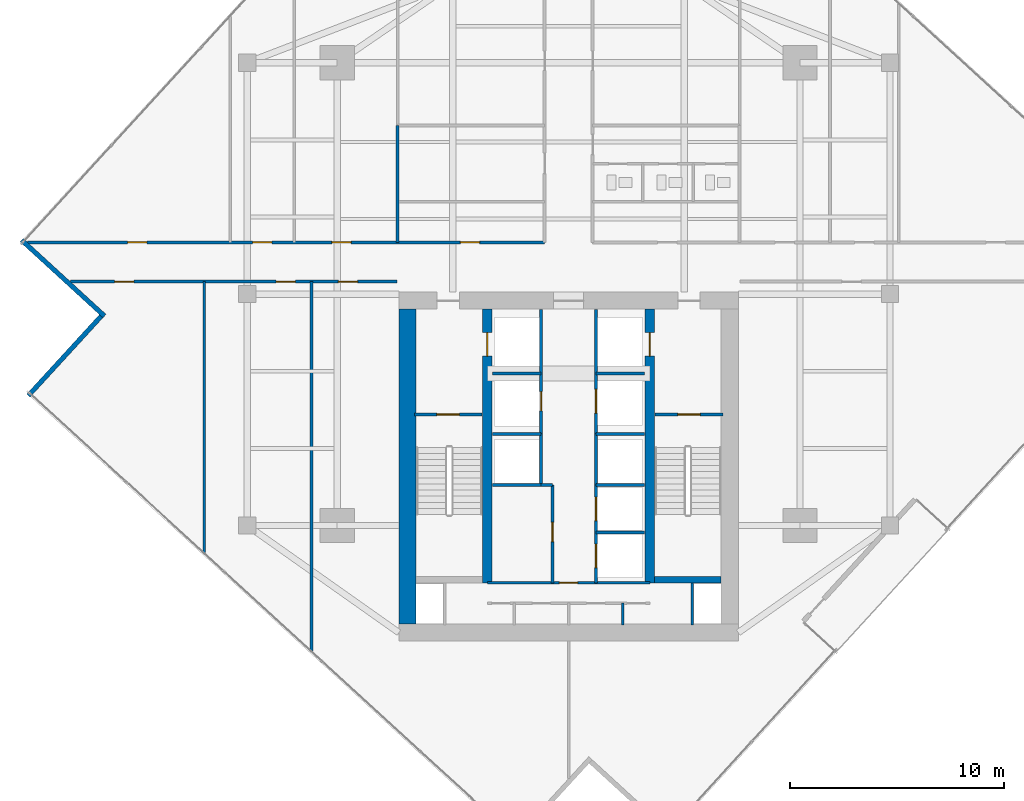
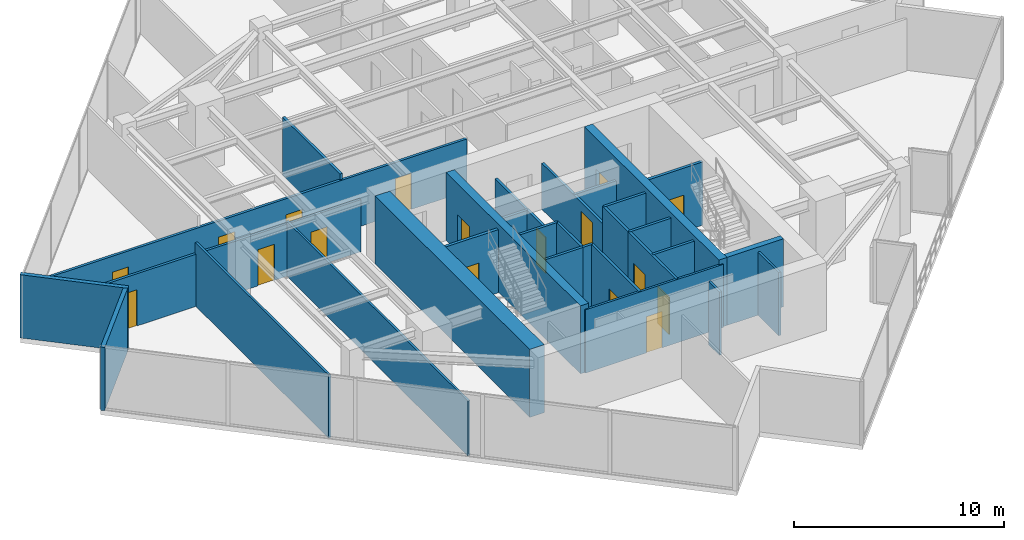
# One storey, part 22 of 26: 30 walls, 17 doors, 17 openings.
"""IFC4 building model written with IfcOpenShell, lengths in metres."""

from ifc_helpers import new_model, si_unit, direction, frame, frame_2d, origin, place, context, subcontext, project, spatial, rectangle, extrude, material, layer, layer_set, type_object, element, fill, save


model = new_model("IFC4")

# Units and contexts
model_context = context("Model", 3, precision=1e-05, world=origin(), true_north=direction((0.0, 1.0)))
body_context = subcontext(model_context, "Body", "Model", "MODEL_VIEW")
ifc_project = project(units=[si_unit("LENGTHUNIT", "METRE"), si_unit("AREAUNIT", "SQUARE_METRE"), si_unit("VOLUMEUNIT", "CUBIC_METRE"), si_unit("PLANEANGLEUNIT", "RADIAN"), si_unit("MASSUNIT", "GRAM", prefix="KILO")], contexts=[model_context])

# Site, building, storey
site_placement = place(None, origin())
site = spatial("IfcSite", under=ifc_project, at=site_placement, CompositionType="ELEMENT")
building_placement = place(site_placement, origin())
building = spatial("IfcBuilding", under=site, at=building_placement, Name="Krantzveldt Concourse Tower", CompositionType="ELEMENT")
storey_placement = place(building_placement, frame((0.0, 0.0, 223.10009765625)))
storey = spatial("IfcBuildingStorey", under=building, at=storey_placement, Name="L54", CompositionType="ELEMENT", Elevation=223.10009765625)

# Walls
ifc_material_1 = material(Name="Anodised aluminium 6063-T6", Category="aluminium")
ifc_layer_1 = layer(ifc_material_1, 0.219970703125, Name="Anodised aluminium 6063-T6", Category="aluminium")
ifc_layer_set_1 = layer_set([ifc_layer_1], Name="Anodised aluminium 6063-T6 (WL-EXT-NOTCH220)")
wall_type_1 = type_object("IfcWallType", Name="WL-EXT-NOTCH220", PredefinedType="ELEMENTEDWALL", material=ifc_layer_set_1)
wall_1_placement = place(storey_placement, frame((10.469970703125, 29.2197265625, 0.0), z_axis=(0.0, 0.0, 1.0), x_axis=(0.737293236511, -0.675572855727, 0.0)))
element("IfcWall", 1, at=wall_1_placement, inside=storey, type_object=wall_type_1, Name="EW-L54-NCH02", PredefinedType="ELEMENTEDWALL", context=body_context, shape_type="SweptSolid", body=[
    extrude(rectangle(XDim=5.2451171875, YDim=0.219970703125, at=frame_2d((2.62255859375, 0.0))), origin(), (0.0, 0.0, 1.0), 3.669921875),
])
wall_2_placement = place(storey_placement, frame((14.181640625, 25.66943359375, 0.0), z_axis=(0.0, 0.0, 1.0), x_axis=(-0.675581609375, -0.737285215553, 0.0)))
element("IfcWall", 2, at=wall_2_placement, inside=storey, type_object=wall_type_1, Name="EW-L54-NCH03", PredefinedType="ELEMENTEDWALL", context=body_context, shape_type="SweptSolid", body=[
    extrude(rectangle(XDim=5.02490234375, YDim=0.219970703125, at=frame_2d((2.512451171875, 0.0))), origin(), (0.0, 0.0, 1.0), 3.669921875),
])

# Wall, opening, door
ifc_material_2 = material(Name="Fire-rated gypsum plasterboard on steel stud", Category="steel")
ifc_layer_2 = layer(ifc_material_2, 0.1201171875, Name="Fire-rated gypsum plasterboard on steel stud", Category="steel")
ifc_layer_set_2 = layer_set([ifc_layer_2], Name="Fire-rated gypsum plasterboard on steel stud (WL-PART-120)")
wall_type_2 = type_object("IfcWallType", Name="WL-PART-120", PredefinedType="PARTITIONING", material=ifc_layer_set_2)
wall_3_placement = place(storey_placement, frame((32.2099609375, 13.219970703125, 0.0), z_axis=(0.0, 0.0, 1.0), x_axis=(1.0, 0.0, 0.0)))
wall_3 = element("IfcWall", 3, at=wall_3_placement, inside=storey, type_object=wall_type_2, Name="WP-L54-CS2H", PredefinedType="PARTITIONING", context=body_context, shape_type="SweptSolid", body=[
    extrude(rectangle(XDim=7.580078125, YDim=0.1201171875, at=frame_2d((3.7900390625, 0.0))), origin(), (0.0, 0.0, 1.0), 3.669921875),
])
opening_1_placement = place(wall_3_placement, frame((3.364990234375, 0.0, 0.0)))
opening_1 = element("IfcOpeningElement", 4, at=opening_1_placement, cuts=wall_3, Name="Opening D-IN085", PredefinedType="OPENING", context=body_context, shape_type="SweptSolid", body=[
    extrude(rectangle(XDim=0.85009765625, YDim=2.10009765625, at=frame_2d((0.425048828125, 1.050048828125))), frame((0.0, 0.070068359375, 0.0), z_axis=(0.0, -1.0, 0.0), x_axis=(1.0, 0.0, 0.0)), (0.0, 0.0, 1.0), 0.14013671875),
])
ifc_material_3 = material(Name="Hardwood timber", Category="wood")
door_type_1 = type_object("IfcDoorType", Name="DR-INT-850", OperationType="SINGLE_SWING_LEFT", PredefinedType="DOOR", material=ifc_material_3)
door_1_placement = place(opening_1_placement, origin())
door_1 = element("IfcDoor", 5, at=door_1_placement, inside=storey, type_object=door_type_1, Name="DR-L54-LLBS", OperationType="SINGLE_SWING_RIGHT", OverallHeight=2.10009765625, OverallWidth=0.85009765625, PredefinedType="DOOR", context=body_context, shape_type="SweptSolid", body=[
    extrude(rectangle(XDim=0.85009765625, YDim=2.10009765625, at=frame_2d((0.425048828125, 1.050048828125))), frame((0.0, 0.02490234375, 0.0), z_axis=(0.0, -1.0, 0.0), x_axis=(1.0, 0.0, 0.0)), (0.0, 0.0, 1.0), 0.050048828125),
])
fill(opening_1, door_1)

# Walls
wall_4_placement = place(storey_placement, frame((38.530029296875, 11.25, 0.0), z_axis=(0.0, 0.0, 1.0), x_axis=(0.0, 1.0, 0.0)))
element("IfcWall", 6, at=wall_4_placement, inside=storey, type_object=wall_type_2, Name="WP-L54-CSD-V3", PredefinedType="PARTITIONING", context=body_context, shape_type="SweptSolid", body=[
    extrude(rectangle(XDim=1.030029296875, YDim=0.1201171875, at=frame_2d((0.51513671875, 0.0))), origin(), (0.0, 0.0, 1.0), 3.669921875),
])
wall_5_placement = place(storey_placement, frame((19.0, 14.5947265625, 0.0), z_axis=(0.0, 0.0, 1.0), x_axis=(0.0, 1.0, 0.0)))
element("IfcWall", 7, at=wall_5_placement, inside=storey, type_object=wall_type_2, Name="WP-L54-SWX1", PredefinedType="PARTITIONING", context=body_context, shape_type="SweptSolid", body=[
    extrude(rectangle(XDim=12.685302734375, YDim=0.1201171875, at=frame_2d((6.3427734375, 0.0))), origin(), (0.0, 0.0, 1.0), 3.669921875),
])
wall_6_placement = place(storey_placement, frame((24.0, 10.012939453125, 0.0), z_axis=(0.0, 0.0, 1.0), x_axis=(0.0, 1.0, 0.0)))
element("IfcWall", 8, at=wall_6_placement, inside=storey, type_object=wall_type_2, Name="WP-L54-SWX2", PredefinedType="PARTITIONING", context=body_context, shape_type="SweptSolid", body=[
    extrude(rectangle(XDim=17.26708984375, YDim=0.1201171875, at=frame_2d((8.633544921875, 0.0))), origin(), (0.0, 0.0, 1.0), 3.179931640625),
])

# Wall, openings, doors
ifc_layer_3 = layer(ifc_material_2, 0.139892578125, Name="Fire-rated gypsum plasterboard on steel stud", Category="steel")
ifc_layer_set_3 = layer_set([ifc_layer_3], Name="Fire-rated gypsum plasterboard on steel stud (WL-PART-140)")
wall_type_3 = type_object("IfcWallType", Name="WL-PART-140", PredefinedType="PARTITIONING", material=ifc_layer_set_3)
wall_7_placement = place(storey_placement, frame((10.749267578125, 29.1201171875, 0.0), z_axis=(0.0, 0.0, 1.0), x_axis=(1.0, 0.0, 0.0)))
wall_7 = element("IfcWall", 9, at=wall_7_placement, inside=storey, type_object=wall_type_3, Name="WP-L54-EWNL", PredefinedType="PARTITIONING", context=body_context, shape_type="SweptSolid", body=[
    extrude(rectangle(XDim=24.130615234375, YDim=0.139892578125, at=frame_2d((12.0654296875, 0.0))), origin(), (0.0, 0.0, 1.0), 3.02978515625),
])
opening_2_placement = place(wall_7_placement, frame((20.200927734375, 0.0, 0.0)))
opening_2 = element("IfcOpeningElement", 10, at=opening_2_placement, cuts=wall_7, Name="Opening D-IN090", PredefinedType="OPENING", context=body_context, shape_type="SweptSolid", body=[
    extrude(rectangle(XDim=0.89990234375, YDim=2.10009765625, at=frame_2d((0.449951171875, 1.050048828125))), frame((0.0, 0.080078125, 0.0), z_axis=(0.0, -1.0, 0.0), x_axis=(1.0, 0.0, 0.0)), (0.0, 0.0, 1.0), 0.159912109375),
])
opening_3_placement = place(wall_7_placement, frame((4.663818359375, 0.0, 0.0)))
opening_3 = element("IfcOpeningElement", 11, at=opening_3_placement, cuts=wall_7, Name="Opening D-IN090", PredefinedType="OPENING", context=body_context, shape_type="SweptSolid", body=[
    extrude(rectangle(XDim=0.89990234375, YDim=2.10009765625, at=frame_2d((0.449951171875, 1.050048828125))), frame((0.0, 0.080078125, 0.0), z_axis=(0.0, -1.0, 0.0), x_axis=(1.0, 0.0, 0.0)), (0.0, 0.0, 1.0), 0.159912109375),
])
opening_4_placement = place(wall_7_placement, frame((10.500732421875, 0.0, 0.0)))
opening_4 = element("IfcOpeningElement", 12, at=opening_4_placement, cuts=wall_7, Name="Opening D-IN090", PredefinedType="OPENING", context=body_context, shape_type="SweptSolid", body=[
    extrude(rectangle(XDim=0.89990234375, YDim=2.10009765625, at=frame_2d((0.449951171875, 1.050048828125))), frame((0.0, 0.080078125, 0.0), z_axis=(0.0, -1.0, 0.0), x_axis=(1.0, 0.0, 0.0)), (0.0, 0.0, 1.0), 0.159912109375),
])
opening_5_placement = place(wall_7_placement, frame((14.200927734375, 0.0, 0.0)))
opening_5 = element("IfcOpeningElement", 13, at=opening_5_placement, cuts=wall_7, Name="Opening D-IN090", PredefinedType="OPENING", context=body_context, shape_type="SweptSolid", body=[
    extrude(rectangle(XDim=0.89990234375, YDim=2.10009765625, at=frame_2d((0.449951171875, 1.050048828125))), frame((0.0, 0.080078125, 0.0), z_axis=(0.0, -1.0, 0.0), x_axis=(1.0, 0.0, 0.0)), (0.0, 0.0, 1.0), 0.159912109375),
])
door_type_2 = type_object("IfcDoorType", Name="DR-INT-900", OperationType="SINGLE_SWING_LEFT", PredefinedType="DOOR", material=ifc_material_3)
door_2_placement = place(opening_2_placement, origin())
door_2 = element("IfcDoor", 14, at=door_2_placement, inside=storey, type_object=door_type_2, Name="DR-L54-ALCL", OperationType="SINGLE_SWING_LEFT", OverallHeight=2.10009765625, OverallWidth=0.89990234375, PredefinedType="DOOR", context=body_context, shape_type="SweptSolid", body=[
    extrude(rectangle(XDim=0.89990234375, YDim=2.10009765625, at=frame_2d((0.449951171875, 1.050048828125))), frame((0.0, 0.02490234375, 0.0), z_axis=(0.0, -1.0, 0.0), x_axis=(1.0, 0.0, 0.0)), (0.0, 0.0, 1.0), 0.050048828125),
])
fill(opening_2, door_2)
door_3_placement = place(opening_3_placement, origin())
door_3 = element("IfcDoor", 15, at=door_3_placement, inside=storey, type_object=door_type_2, Name="DR-L54-NWX1", OperationType="SINGLE_SWING_LEFT", OverallHeight=2.10009765625, OverallWidth=0.89990234375, PredefinedType="DOOR", context=body_context, shape_type="SweptSolid", body=[
    extrude(rectangle(XDim=0.89990234375, YDim=2.10009765625, at=frame_2d((0.449951171875, 1.050048828125))), frame((0.0, 0.02490234375, 0.0), z_axis=(0.0, -1.0, 0.0), x_axis=(1.0, 0.0, 0.0)), (0.0, 0.0, 1.0), 0.050048828125),
])
fill(opening_3, door_3)
door_4_placement = place(opening_4_placement, origin())
door_4 = element("IfcDoor", 16, at=door_4_placement, inside=storey, type_object=door_type_2, Name="DR-L54-NWX2", OperationType="SINGLE_SWING_LEFT", OverallHeight=2.10009765625, OverallWidth=0.89990234375, PredefinedType="DOOR", context=body_context, shape_type="SweptSolid", body=[
    extrude(rectangle(XDim=0.89990234375, YDim=2.10009765625, at=frame_2d((0.449951171875, 1.050048828125))), frame((0.0, 0.02490234375, 0.0), z_axis=(0.0, -1.0, 0.0), x_axis=(1.0, 0.0, 0.0)), (0.0, 0.0, 1.0), 0.050048828125),
])
fill(opening_4, door_4)
door_5_placement = place(opening_5_placement, origin())
door_5 = element("IfcDoor", 17, at=door_5_placement, inside=storey, type_object=door_type_2, Name="DR-L54-NWX3", OperationType="SINGLE_SWING_LEFT", OverallHeight=2.10009765625, OverallWidth=0.89990234375, PredefinedType="DOOR", context=body_context, shape_type="SweptSolid", body=[
    extrude(rectangle(XDim=0.89990234375, YDim=2.10009765625, at=frame_2d((0.449951171875, 1.050048828125))), frame((0.0, 0.02490234375, 0.0), z_axis=(0.0, -1.0, 0.0), x_axis=(1.0, 0.0, 0.0)), (0.0, 0.0, 1.0), 0.050048828125),
])
fill(opening_5, door_5)

wall_8_placement = place(storey_placement, frame((12.757080078125, 27.280029296875, 0.0), z_axis=(0.0, 0.0, 1.0), x_axis=(1.0, 0.0, 0.0)))
wall_8 = element("IfcWall", 18, at=wall_8_placement, inside=storey, type_object=wall_type_3, Name="WP-L54-EWSL", PredefinedType="PARTITIONING", context=body_context, shape_type="SweptSolid", body=[
    extrude(rectangle(XDim=15.242919921875, YDim=0.139892578125, at=frame_2d((7.62158203125, 0.0))), origin(), (0.0, 0.0, 1.0), 3.02978515625),
])
opening_6_placement = place(wall_8_placement, frame((2.055908203125, 0.0, 0.0)))
opening_6 = element("IfcOpeningElement", 19, at=opening_6_placement, cuts=wall_8, Name="Opening D-IN090", PredefinedType="OPENING", context=body_context, shape_type="SweptSolid", body=[
    extrude(rectangle(XDim=0.89990234375, YDim=2.10009765625, at=frame_2d((0.449951171875, 1.050048828125))), frame((0.0, 0.080078125, 0.0), z_axis=(0.0, -1.0, 0.0), x_axis=(1.0, 0.0, 0.0)), (0.0, 0.0, 1.0), 0.159912109375),
])
opening_7_placement = place(wall_8_placement, frame((9.5927734375, 0.0, 0.0)))
opening_7 = element("IfcOpeningElement", 20, at=opening_7_placement, cuts=wall_8, Name="Opening D-IN090", PredefinedType="OPENING", context=body_context, shape_type="SweptSolid", body=[
    extrude(rectangle(XDim=0.89990234375, YDim=2.10009765625, at=frame_2d((0.449951171875, 1.050048828125))), frame((0.0, 0.080078125, 0.0), z_axis=(0.0, -1.0, 0.0), x_axis=(1.0, 0.0, 0.0)), (0.0, 0.0, 1.0), 0.159912109375),
])
opening_8_placement = place(wall_8_placement, frame((12.492919921875, 0.0, 0.0)))
opening_8 = element("IfcOpeningElement", 21, at=opening_8_placement, cuts=wall_8, Name="Opening D-IN090", PredefinedType="OPENING", context=body_context, shape_type="SweptSolid", body=[
    extrude(rectangle(XDim=0.89990234375, YDim=2.10009765625, at=frame_2d((0.449951171875, 1.050048828125))), frame((0.0, 0.080078125, 0.0), z_axis=(0.0, -1.0, 0.0), x_axis=(1.0, 0.0, 0.0)), (0.0, 0.0, 1.0), 0.159912109375),
])
door_6_placement = place(opening_6_placement, origin())
door_6 = element("IfcDoor", 22, at=door_6_placement, inside=storey, type_object=door_type_2, Name="DR-L54-SWX1", OperationType="SINGLE_SWING_LEFT", OverallHeight=2.10009765625, OverallWidth=0.89990234375, PredefinedType="DOOR", context=body_context, shape_type="SweptSolid", body=[
    extrude(rectangle(XDim=0.89990234375, YDim=2.10009765625, at=frame_2d((0.449951171875, 1.050048828125))), frame((0.0, 0.02490234375, 0.0), z_axis=(0.0, -1.0, 0.0), x_axis=(1.0, 0.0, 0.0)), (0.0, 0.0, 1.0), 0.050048828125),
])
fill(opening_6, door_6)
door_7_placement = place(opening_7_placement, origin())
door_7 = element("IfcDoor", 23, at=door_7_placement, inside=storey, type_object=door_type_2, Name="DR-L54-SWX2", OperationType="SINGLE_SWING_LEFT", OverallHeight=2.10009765625, OverallWidth=0.89990234375, PredefinedType="DOOR", context=body_context, shape_type="SweptSolid", body=[
    extrude(rectangle(XDim=0.89990234375, YDim=2.10009765625, at=frame_2d((0.449951171875, 1.050048828125))), frame((0.0, 0.02490234375, 0.0), z_axis=(0.0, -1.0, 0.0), x_axis=(1.0, 0.0, 0.0)), (0.0, 0.0, 1.0), 0.050048828125),
])
fill(opening_7, door_7)
door_8_placement = place(opening_8_placement, origin())
door_8 = element("IfcDoor", 24, at=door_8_placement, inside=storey, type_object=door_type_2, Name="DR-L54-SWX3", OperationType="SINGLE_SWING_LEFT", OverallHeight=2.10009765625, OverallWidth=0.89990234375, PredefinedType="DOOR", context=body_context, shape_type="SweptSolid", body=[
    extrude(rectangle(XDim=0.89990234375, YDim=2.10009765625, at=frame_2d((0.449951171875, 1.050048828125))), frame((0.0, 0.02490234375, 0.0), z_axis=(0.0, -1.0, 0.0), x_axis=(1.0, 0.0, 0.0)), (0.0, 0.0, 1.0), 0.050048828125),
])
fill(opening_8, door_8)

# Wall
wall_9_placement = place(storey_placement, frame((28.02001953125, 29.1201171875, 0.0), z_axis=(0.0, 0.0, 1.0), x_axis=(0.0, 1.0, 0.0)))
element("IfcWall", 25, at=wall_9_placement, inside=storey, type_object=wall_type_3, Name="WP-L54-ISWL", PredefinedType="PARTITIONING", context=body_context, shape_type="SweptSolid", body=[
    extrude(rectangle(XDim=5.4599609375, YDim=0.139892578125, at=frame_2d((2.72998046875, 0.0))), origin(), (0.0, 0.0, 1.0), 3.369873046875),
])

# Wall, opening, door
ifc_layer_4 = layer(ifc_material_2, 0.139892578125, Name="Fire-rated gypsum plasterboard on steel stud", Category="steel")
ifc_layer_set_4 = layer_set([ifc_layer_4], Name="Fire-rated gypsum plasterboard on steel stud (WL-PART-FR140)")
wall_type_4 = type_object("IfcWallType", Name="WL-PART-FR140", PredefinedType="PARTITIONING", material=ifc_layer_set_4)
wall_10_placement = place(storey_placement, frame((34.719970703125, 20.199951171875, 0.0), z_axis=(0.0, 0.0, 1.0), x_axis=(0.0, 1.0, 0.0)))
wall_10 = element("IfcWall", 26, at=wall_10_placement, inside=storey, type_object=wall_type_4, Name="WP-L54-SHNW", PredefinedType="PARTITIONING", context=body_context, shape_type="SweptSolid", body=[
    extrude(rectangle(XDim=5.780029296875, YDim=0.139892578125, at=frame_2d((2.89013671875, 0.0))), origin(), (0.0, 0.0, 1.0), 2.669921875),
])
opening_9_placement = place(wall_10_placement, frame((1.050048828125, 0.0, 0.0)))
opening_9 = element("IfcOpeningElement", 27, at=opening_9_placement, cuts=wall_10, Name="Opening D-FD090", PredefinedType="OPENING", context=body_context, shape_type="SweptSolid", body=[
    extrude(rectangle(XDim=0.89990234375, YDim=2.10009765625, at=frame_2d((0.449951171875, 1.050048828125))), frame((0.0, 0.080078125, 0.0), z_axis=(0.0, -1.0, 0.0), x_axis=(1.0, 0.0, 0.0)), (0.0, 0.0, 1.0), 0.159912109375),
])
door_type_3 = type_object("IfcDoorType", Name="DR-FD60-900", OperationType="SINGLE_SWING_LEFT", PredefinedType="DOOR", material=ifc_material_3)
door_9_placement = place(opening_9_placement, origin())
door_9 = element("IfcDoor", 28, at=door_9_placement, inside=storey, type_object=door_type_3, Name="Electrical Riser Access Door L54", OperationType="SINGLE_SWING_LEFT", OverallHeight=2.10009765625, OverallWidth=0.89990234375, PredefinedType="DOOR", context=body_context, shape_type="SweptSolid", body=[
    extrude(rectangle(XDim=0.89990234375, YDim=2.10009765625, at=frame_2d((0.449951171875, 1.050048828125))), frame((0.0, 0.02490234375, 0.0), z_axis=(0.0, -1.0, 0.0), x_axis=(1.0, 0.0, 0.0)), (0.0, 0.0, 1.0), 0.050048828125),
])
fill(opening_9, door_9)

wall_11_placement = place(storey_placement, frame((37.280029296875, 20.199951171875, 0.0), z_axis=(0.0, 0.0, 1.0), x_axis=(0.0, 1.0, 0.0)))
wall_11 = element("IfcWall", 29, at=wall_11_placement, inside=storey, type_object=wall_type_4, Name="WP-L54-SHNE", PredefinedType="PARTITIONING", context=body_context, shape_type="SweptSolid", body=[
    extrude(rectangle(XDim=5.780029296875, YDim=0.139892578125, at=frame_2d((2.89013671875, 0.0))), origin(), (0.0, 0.0, 1.0), 2.669921875),
])
opening_10_placement = place(wall_11_placement, frame((0.949951171875, 0.0, 0.0)))
opening_10 = element("IfcOpeningElement", 30, at=opening_10_placement, cuts=wall_11, Name="Opening LD", PredefinedType="OPENING", context=body_context, shape_type="SweptSolid", body=[
    extrude(rectangle(XDim=1.10009765625, YDim=2.14990234375, at=frame_2d((0.550048828125, 1.074951171875))), frame((0.0, 0.080078125, 0.0), z_axis=(0.0, -1.0, 0.0), x_axis=(1.0, 0.0, 0.0)), (0.0, 0.0, 1.0), 0.159912109375),
])
ifc_material_4 = material(Name="Stainless steel 316L", Category="steel")
door_type_4 = type_object("IfcDoorType", Name="DR-SLIDE-LD1100", OperationType="DOUBLE_DOOR_SLIDING", PredefinedType="DOOR", material=ifc_material_4)
door_10_placement = place(opening_10_placement, origin())
door_10 = element("IfcDoor", 31, at=door_10_placement, inside=storey, type_object=door_type_4, Name="LD-L54-GL1", OperationType="DOUBLE_DOOR_SLIDING", OverallHeight=2.14990234375, OverallWidth=1.10009765625, PredefinedType="DOOR", context=body_context, shape_type="SweptSolid", body=[
    extrude(rectangle(XDim=1.10009765625, YDim=2.14990234375, at=frame_2d((0.550048828125, 1.074951171875))), frame((0.0, 0.02490234375, 0.0), z_axis=(0.0, -1.0, 0.0), x_axis=(1.0, 0.0, 0.0)), (0.0, 0.0, 1.0), 0.050048828125),
])
fill(opening_10, door_10)

# Walls
for number, where, z_axis, x_axis, name in (
    (32, (32.449951171875, 23.0, 0.0), (0.0, 0.0, 1.0), (1.0, 0.0, 0.0), "WP-L54-RISH"),
    (33, (37.280029296875, 23.0, 0.0), (0.0, 0.0, 1.0), (1.0, 0.0, 0.0), "WP-L54-GLH"),
):
    element("IfcWall", number, at=place(storey_placement, frame(where, z_axis=z_axis, x_axis=x_axis)), inside=storey, type_object=wall_type_4, Name=name, PredefinedType="PARTITIONING", context=body_context, shape_type="SweptSolid", body=[
        extrude(rectangle(XDim=2.27001953125, YDim=0.139892578125, at=frame_2d((1.135009765625, 0.0))), origin(), (0.0, 0.0, 1.0), 2.669921875),
    ])
for number, where, z_axis, x_axis, name in (
    (34, (34.719970703125, 17.780029296875, 0.0), (0.0, 0.0, 1.0), (0.0, 1.0, 0.0), "WP-L54-SHNW2"),
    (35, (37.280029296875, 17.780029296875, 0.0), (0.0, 0.0, 1.0), (0.0, 1.0, 0.0), "WP-L54-SHNE2"),
):
    element("IfcWall", number, at=place(storey_placement, frame(where, z_axis=z_axis, x_axis=x_axis)), inside=storey, type_object=wall_type_4, Name=name, PredefinedType="PARTITIONING", context=body_context, shape_type="SweptSolid", body=[
        extrude(rectangle(XDim=2.419921875, YDim=0.139892578125, at=frame_2d((1.2099609375, 0.0))), origin(), (0.0, 0.0, 1.0), 3.669921875),
    ])
for number, where, z_axis, x_axis, name in (
    (36, (32.449951171875, 17.780029296875, 0.0), (0.0, 0.0, 1.0), (1.0, 0.0, 0.0), "WP-L54-DIVW2"),
    (37, (32.449951171875, 20.179931640625, 0.0), (0.0, 0.0, 1.0), (1.0, 0.0, 0.0), "WP-L54-DIVW3"),
    (38, (37.280029296875, 17.780029296875, 0.0), (0.0, 0.0, 1.0), (1.0, 0.0, 0.0), "WP-L54-DIVE2"),
    (39, (37.280029296875, 20.179931640625, 0.0), (0.0, 0.0, 1.0), (1.0, 0.0, 0.0), "WP-L54-DIVE3"),
):
    element("IfcWall", number, at=place(storey_placement, frame(where, z_axis=z_axis, x_axis=x_axis)), inside=storey, type_object=wall_type_4, Name=name, PredefinedType="PARTITIONING", context=body_context, shape_type="SweptSolid", body=[
        extrude(rectangle(XDim=2.27001953125, YDim=0.139892578125, at=frame_2d((1.135009765625, 0.0))), origin(), (0.0, 0.0, 1.0), 3.669921875),
    ])

# Wall, opening, door
wall_12_placement = place(storey_placement, frame((35.25, 13.219970703125, 0.0), z_axis=(0.0, 0.0, 1.0), x_axis=(0.0, 1.0, 0.0)))
wall_12 = element("IfcWall", 40, at=wall_12_placement, inside=storey, type_object=wall_type_4, Name="WP-L54-RECW", PredefinedType="PARTITIONING", context=body_context, shape_type="SweptSolid", body=[
    extrude(rectangle(XDim=4.56005859375, YDim=0.139892578125, at=frame_2d((2.280029296875, 0.0))), origin(), (0.0, 0.0, 1.0), 3.669921875),
])
opening_11_placement = place(wall_12_placement, frame((1.929931640625, 0.0, 0.0)))
opening_11 = element("IfcOpeningElement", 41, at=opening_11_placement, cuts=wall_12, Name="Opening D-FD090", PredefinedType="OPENING", context=body_context, shape_type="SweptSolid", body=[
    extrude(rectangle(XDim=0.89990234375, YDim=2.10009765625, at=frame_2d((0.449951171875, 1.050048828125))), frame((0.0, 0.080078125, 0.0), z_axis=(0.0, -1.0, 0.0), x_axis=(1.0, 0.0, 0.0)), (0.0, 0.0, 1.0), 0.159912109375),
])
door_11_placement = place(opening_11_placement, origin())
door_11 = element("IfcDoor", 42, at=door_11_placement, inside=storey, type_object=door_type_3, Name="DR-L54-RECW", OperationType="SINGLE_SWING_LEFT", OverallHeight=2.10009765625, OverallWidth=0.89990234375, PredefinedType="DOOR", context=body_context, shape_type="SweptSolid", body=[
    extrude(rectangle(XDim=0.89990234375, YDim=2.10009765625, at=frame_2d((0.449951171875, 1.050048828125))), frame((0.0, 0.02490234375, 0.0), z_axis=(0.0, -1.0, 0.0), x_axis=(1.0, 0.0, 0.0)), (0.0, 0.0, 1.0), 0.050048828125),
])
fill(opening_11, door_11)

# Wall
wall_13_placement = place(storey_placement, frame((34.719970703125, 17.780029296875, 0.0), z_axis=(0.0, 0.0, 1.0), x_axis=(1.0, 0.0, 0.0)))
element("IfcWall", 43, at=wall_13_placement, inside=storey, type_object=wall_type_4, Name="WP-L54-RECWN", PredefinedType="PARTITIONING", context=body_context, shape_type="SweptSolid", body=[
    extrude(rectangle(XDim=0.530029296875, YDim=0.139892578125, at=frame_2d((0.26513671875, 0.0))), origin(), (0.0, 0.0, 1.0), 3.669921875),
])

# Wall, openings, doors
wall_14_placement = place(storey_placement, frame((37.280029296875, 13.219970703125, 0.0), z_axis=(0.0, 0.0, 1.0), x_axis=(0.0, 1.0, 0.0)))
wall_14 = element("IfcWall", 44, at=wall_14_placement, inside=storey, type_object=wall_type_4, Name="WP-L54-SHSE", PredefinedType="PARTITIONING", context=body_context, shape_type="SweptSolid", body=[
    extrude(rectangle(XDim=4.56005859375, YDim=0.139892578125, at=frame_2d((2.280029296875, 0.0))), origin(), (0.0, 0.0, 1.0), 3.669921875),
])
opening_12_placement = place(wall_14_placement, frame((0.7099609375, 0.0, 0.0)))
opening_12 = element("IfcOpeningElement", 45, at=opening_12_placement, cuts=wall_14, Name="Opening LD", PredefinedType="OPENING", context=body_context, shape_type="SweptSolid", body=[
    extrude(rectangle(XDim=1.10009765625, YDim=2.14990234375, at=frame_2d((0.550048828125, 1.074951171875))), frame((0.0, 0.080078125, 0.0), z_axis=(0.0, -1.0, 0.0), x_axis=(1.0, 0.0, 0.0)), (0.0, 0.0, 1.0), 0.159912109375),
])
opening_13_placement = place(wall_14_placement, frame((2.909912109375, 0.0, 0.0)))
opening_13 = element("IfcOpeningElement", 46, at=opening_13_placement, cuts=wall_14, Name="Opening LD", PredefinedType="OPENING", context=body_context, shape_type="SweptSolid", body=[
    extrude(rectangle(XDim=1.10009765625, YDim=2.14990234375, at=frame_2d((0.550048828125, 1.074951171875))), frame((0.0, 0.080078125, 0.0), z_axis=(0.0, -1.0, 0.0), x_axis=(1.0, 0.0, 0.0)), (0.0, 0.0, 1.0), 0.159912109375),
])
door_12_placement = place(opening_12_placement, origin())
door_12 = element("IfcDoor", 47, at=door_12_placement, inside=storey, type_object=door_type_4, Name="LD-L54-PM1", OperationType="DOUBLE_DOOR_SLIDING", OverallHeight=2.14990234375, OverallWidth=1.10009765625, PredefinedType="DOOR", context=body_context, shape_type="SweptSolid", body=[
    extrude(rectangle(XDim=1.10009765625, YDim=2.14990234375, at=frame_2d((0.550048828125, 1.074951171875))), frame((0.0, 0.02490234375, 0.0), z_axis=(0.0, -1.0, 0.0), x_axis=(1.0, 0.0, 0.0)), (0.0, 0.0, 1.0), 0.050048828125),
])
fill(opening_12, door_12)
door_13_placement = place(opening_13_placement, origin())
door_13 = element("IfcDoor", 48, at=door_13_placement, inside=storey, type_object=door_type_4, Name="LD-L54-PM2", OperationType="DOUBLE_DOOR_SLIDING", OverallHeight=2.14990234375, OverallWidth=1.10009765625, PredefinedType="DOOR", context=body_context, shape_type="SweptSolid", body=[
    extrude(rectangle(XDim=1.10009765625, YDim=2.14990234375, at=frame_2d((0.550048828125, 1.074951171875))), frame((0.0, 0.02490234375, 0.0), z_axis=(0.0, -1.0, 0.0), x_axis=(1.0, 0.0, 0.0)), (0.0, 0.0, 1.0), 0.050048828125),
])
fill(opening_13, door_13)

# Walls
wall_15_placement = place(storey_placement, frame((37.280029296875, 15.580078125, 0.0), z_axis=(0.0, 0.0, 1.0), x_axis=(1.0, 0.0, 0.0)))
element("IfcWall", 49, at=wall_15_placement, inside=storey, type_object=wall_type_4, Name="WP-L54-DIVE1", PredefinedType="PARTITIONING", context=body_context, shape_type="SweptSolid", body=[
    extrude(rectangle(XDim=2.27001953125, YDim=0.139892578125, at=frame_2d((1.135009765625, 0.0))), origin(), (0.0, 0.0, 1.0), 3.669921875),
])
wall_16_placement = place(storey_placement, frame((41.780029296875, 11.25, 0.0), z_axis=(0.0, 0.0, 1.0), x_axis=(0.0, 1.0, 0.0)))
element("IfcWall", 50, at=wall_16_placement, inside=storey, type_object=wall_type_4, Name="WP-L54-RSE", PredefinedType="PARTITIONING", context=body_context, shape_type="SweptSolid", body=[
    extrude(rectangle(XDim=1.969970703125, YDim=0.1201171875, at=frame_2d((0.98486328125, 0.0))), origin(), (0.0, 0.0, 1.0), 3.669921875),
])

# Wall, opening, door
ifc_layer_5 = layer(ifc_material_2, 0.159912109375, Name="Fire-rated gypsum plasterboard on steel stud", Category="steel")
ifc_layer_set_5 = layer_set([ifc_layer_5], Name="Fire-rated gypsum plasterboard on steel stud (WL-PART-FR160)")
wall_type_5 = type_object("IfcWallType", Name="WL-PART-FR160", PredefinedType="PARTITIONING", material=ifc_layer_set_5)
wall_17_placement = place(storey_placement, frame((28.800048828125, 21.080078125, 0.0), z_axis=(0.0, 0.0, 1.0), x_axis=(1.0, 0.0, 0.0)))
wall_17 = element("IfcWall", 51, at=wall_17_placement, inside=storey, type_object=wall_type_5, Name="WP-L54-ST1", PredefinedType="PARTITIONING", context=body_context, shape_type="SweptSolid", body=[
    extrude(rectangle(XDim=3.159912109375, YDim=0.159912109375, at=frame_2d((1.580078125, 0.0))), origin(), (0.0, 0.0, 1.0), 3.669921875),
])
opening_14_placement = place(wall_17_placement, frame((1.054931640625, 0.0, 0.0)))
opening_14 = element("IfcOpeningElement", 52, at=opening_14_placement, cuts=wall_17, Name="Opening D-FD105", PredefinedType="OPENING", context=body_context, shape_type="SweptSolid", body=[
    extrude(rectangle(XDim=1.050048828125, YDim=2.10009765625, at=frame_2d((0.52490234375, 1.050048828125))), frame((0.0, 0.08984375, 0.0), z_axis=(0.0, -1.0, 0.0), x_axis=(1.0, 0.0, 0.0)), (0.0, 0.0, 1.0), 0.179931640625),
])
ifc_material_5 = material(Name="Galvanised steel", Category="steel")
door_type_5 = type_object("IfcDoorType", Name="DR-FD120-1050", OperationType="SINGLE_SWING_LEFT", PredefinedType="DOOR", material=ifc_material_5)
door_14_placement = place(opening_14_placement, origin())
door_14 = element("IfcDoor", 53, at=door_14_placement, inside=storey, type_object=door_type_5, Name="DR-L54-ST1", OperationType="SINGLE_SWING_RIGHT", OverallHeight=2.10009765625, OverallWidth=1.050048828125, PredefinedType="DOOR", context=body_context, shape_type="SweptSolid", body=[
    extrude(rectangle(XDim=1.050048828125, YDim=2.10009765625, at=frame_2d((0.52490234375, 1.050048828125))), frame((0.0, 0.02490234375, 0.0), z_axis=(0.0, -1.0, 0.0), x_axis=(1.0, 0.0, 0.0)), (0.0, 0.0, 1.0), 0.050048828125),
])
fill(opening_14, door_14)

wall_18_placement = place(storey_placement, frame((40.0400390625, 21.080078125, 0.0), z_axis=(0.0, 0.0, 1.0), x_axis=(1.0, 0.0, 0.0)))
wall_18 = element("IfcWall", 54, at=wall_18_placement, inside=storey, type_object=wall_type_5, Name="WP-L54-ST2", PredefinedType="PARTITIONING", context=body_context, shape_type="SweptSolid", body=[
    extrude(rectangle(XDim=3.159912109375, YDim=0.159912109375, at=frame_2d((1.580078125, 0.0))), origin(), (0.0, 0.0, 1.0), 3.669921875),
])
opening_15_placement = place(wall_18_placement, frame((1.054931640625, 0.0, 0.0)))
opening_15 = element("IfcOpeningElement", 55, at=opening_15_placement, cuts=wall_18, Name="Opening D-FD105", PredefinedType="OPENING", context=body_context, shape_type="SweptSolid", body=[
    extrude(rectangle(XDim=1.050048828125, YDim=2.10009765625, at=frame_2d((0.52490234375, 1.050048828125))), frame((0.0, 0.08984375, 0.0), z_axis=(0.0, -1.0, 0.0), x_axis=(1.0, 0.0, 0.0)), (0.0, 0.0, 1.0), 0.179931640625),
])
door_15_placement = place(opening_15_placement, origin())
door_15 = element("IfcDoor", 56, at=door_15_placement, inside=storey, type_object=door_type_5, Name="DR-L54-ST2", OperationType="SINGLE_SWING_LEFT", OverallHeight=2.10009765625, OverallWidth=1.050048828125, PredefinedType="DOOR", context=body_context, shape_type="SweptSolid", body=[
    extrude(rectangle(XDim=1.050048828125, YDim=2.10009765625, at=frame_2d((0.52490234375, 1.050048828125))), frame((0.0, 0.02490234375, 0.0), z_axis=(0.0, -1.0, 0.0), x_axis=(1.0, 0.0, 0.0)), (0.0, 0.0, 1.0), 0.050048828125),
])
fill(opening_15, door_15)

# Wall
ifc_material_6 = material(Name="Concrete C50/60", Category="concrete")
ifc_layer_6 = layer(ifc_material_6, 0.300048828125, Name="Concrete C50/60", Category="concrete")
ifc_layer_set_6 = layer_set([ifc_layer_6], Name="Concrete C50/60 (WL-SHEAR-300)")
wall_type_6 = type_object("IfcWallType", Name="WL-SHEAR-300", PredefinedType="SHEAR", material=ifc_layer_set_6)
wall_19_placement = place(storey_placement, frame((40.02001953125, 13.3701171875, 0.0), z_axis=(0.0, 0.0, 1.0), x_axis=(1.0, 0.0, 0.0)))
element("IfcWall", 57, at=wall_19_placement, inside=storey, type_object=wall_type_6, Name="CW-L54-ST2S", PredefinedType="SHEAR", context=body_context, shape_type="SweptSolid", body=[
    extrude(rectangle(XDim=3.10009765625, YDim=0.300048828125, at=frame_2d((1.550048828125, 0.0))), origin(), (0.0, 0.0, 1.0), 3.949951171875),
])

# Wall, opening, door
ifc_layer_7 = layer(ifc_material_6, 0.449951171875, Name="Concrete C50/60", Category="concrete")
ifc_layer_set_7 = layer_set([ifc_layer_7], Name="Concrete C50/60 (WL-SHEAR-450)")
wall_type_7 = type_object("IfcWallType", Name="WL-SHEAR-450", PredefinedType="SHEAR", material=ifc_layer_set_7)
wall_20_placement = place(storey_placement, frame((32.205078125, 13.219970703125, 0.0), z_axis=(0.0, 0.0, 1.0), x_axis=(0.0, 1.0, 0.0)))
wall_20 = element("IfcWall", 58, at=wall_20_placement, inside=storey, type_object=wall_type_7, Name="CW-L54-IW", PredefinedType="SHEAR", context=body_context, shape_type="SweptSolid", body=[
    extrude(rectangle(XDim=12.780029296875, YDim=0.449951171875, at=frame_2d((6.39013671875, 0.0))), origin(), (0.0, 0.0, 1.0), 3.949951171875),
])
opening_16_placement = place(wall_20_placement, frame((10.580078125, 0.0, 0.0)))
opening_16 = element("IfcOpeningElement", 59, at=opening_16_placement, cuts=wall_20, Name="Opening LD", PredefinedType="OPENING", context=body_context, shape_type="SweptSolid", body=[
    extrude(rectangle(XDim=1.10009765625, YDim=2.14990234375, at=frame_2d((0.550048828125, 1.074951171875))), frame((0.0, 0.23486328125, 0.0), z_axis=(0.0, -1.0, 0.0), x_axis=(1.0, 0.0, 0.0)), (0.0, 0.0, 1.0), 0.469970703125),
])
door_16_placement = place(opening_16_placement, origin())
door_16 = element("IfcDoor", 60, at=door_16_placement, inside=storey, type_object=door_type_4, Name="LD-L54-FL1", OperationType="DOUBLE_DOOR_SLIDING", OverallHeight=2.14990234375, OverallWidth=1.10009765625, PredefinedType="DOOR", context=body_context, shape_type="SweptSolid", body=[
    extrude(rectangle(XDim=1.10009765625, YDim=2.14990234375, at=frame_2d((0.550048828125, 1.074951171875))), frame((0.0, 0.02490234375, 0.0), z_axis=(0.0, -1.0, 0.0), x_axis=(1.0, 0.0, 0.0)), (0.0, 0.0, 1.0), 0.050048828125),
])
fill(opening_16, door_16)

wall_21_placement = place(storey_placement, frame((39.794921875, 13.219970703125, 0.0), z_axis=(0.0, 0.0, 1.0), x_axis=(0.0, 1.0, 0.0)))
wall_21 = element("IfcWall", 61, at=wall_21_placement, inside=storey, type_object=wall_type_7, Name="CW-L54-IE", PredefinedType="SHEAR", context=body_context, shape_type="SweptSolid", body=[
    extrude(rectangle(XDim=12.780029296875, YDim=0.449951171875, at=frame_2d((6.39013671875, 0.0))), origin(), (0.0, 0.0, 1.0), 3.949951171875),
])
opening_17_placement = place(wall_21_placement, frame((10.580078125, 0.0, 0.0)))
opening_17 = element("IfcOpeningElement", 62, at=opening_17_placement, cuts=wall_21, Name="Opening LD", PredefinedType="OPENING", context=body_context, shape_type="SweptSolid", body=[
    extrude(rectangle(XDim=1.10009765625, YDim=2.14990234375, at=frame_2d((0.550048828125, 1.074951171875))), frame((0.0, 0.23486328125, 0.0), z_axis=(0.0, -1.0, 0.0), x_axis=(1.0, 0.0, 0.0)), (0.0, 0.0, 1.0), 0.469970703125),
])
door_17_placement = place(opening_17_placement, origin())
door_17 = element("IfcDoor", 63, at=door_17_placement, inside=storey, type_object=door_type_4, Name="LD-L54-FL2", OperationType="DOUBLE_DOOR_SLIDING", OverallHeight=2.14990234375, OverallWidth=1.10009765625, PredefinedType="DOOR", context=body_context, shape_type="SweptSolid", body=[
    extrude(rectangle(XDim=1.10009765625, YDim=2.14990234375, at=frame_2d((0.550048828125, 1.074951171875))), frame((0.0, 0.02490234375, 0.0), z_axis=(0.0, -1.0, 0.0), x_axis=(1.0, 0.0, 0.0)), (0.0, 0.0, 1.0), 0.050048828125),
])
fill(opening_17, door_17)

# Wall
ifc_material_7 = material(Name="Concrete C60/75", Category="concrete")
ifc_layer_8 = layer(ifc_material_7, 0.800048828125, Name="Concrete C60/75", Category="concrete")
ifc_layer_set_8 = layer_set([ifc_layer_8], Name="Concrete C60/75 (WL-SHEAR-800)")
wall_type_8 = type_object("IfcWallType", Name="WL-SHEAR-800", PredefinedType="SHEAR", material=ifc_layer_set_8)
wall_22_placement = place(storey_placement, frame((28.47998046875, 11.300048828125, 0.0), z_axis=(0.0, 0.0, 1.0), x_axis=(0.0, 1.0, 0.0)))
element("IfcWall", 64, at=wall_22_placement, inside=storey, type_object=wall_type_8, Name="CW-L54-W", PredefinedType="SHEAR", context=body_context, shape_type="SweptSolid", body=[
    extrude(rectangle(XDim=14.699951171875, YDim=0.800048828125, at=frame_2d((7.35009765625, 0.0))), origin(), (0.0, 0.0, 1.0), 3.949951171875),
])

save(model, "model.ifc")
